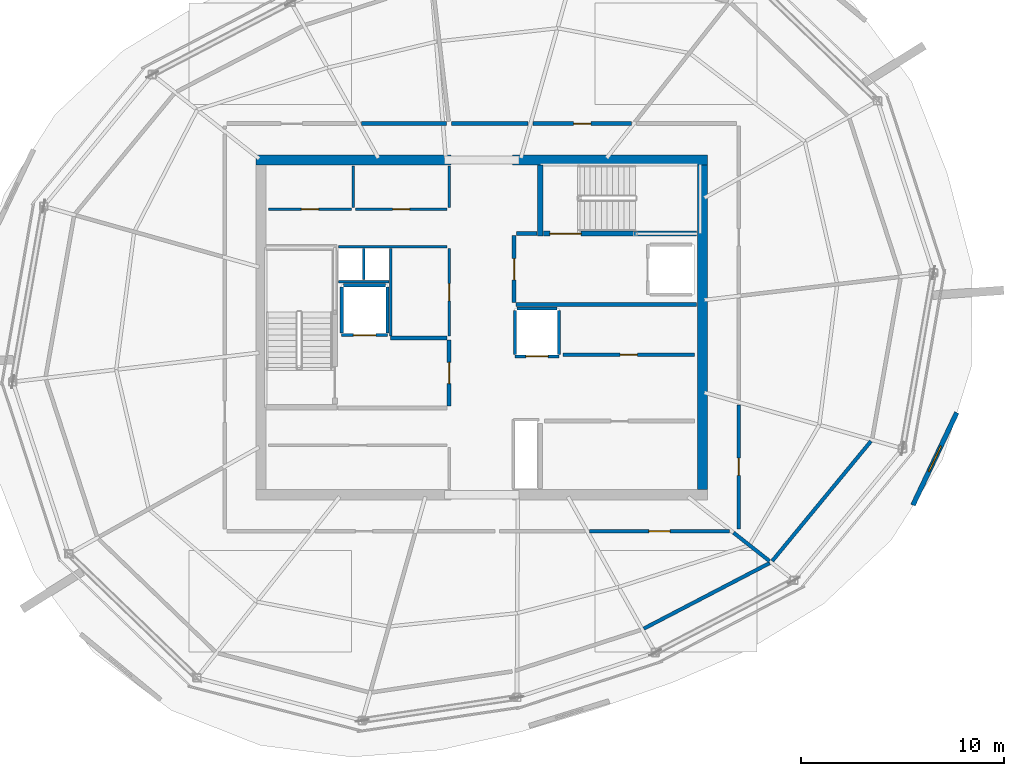
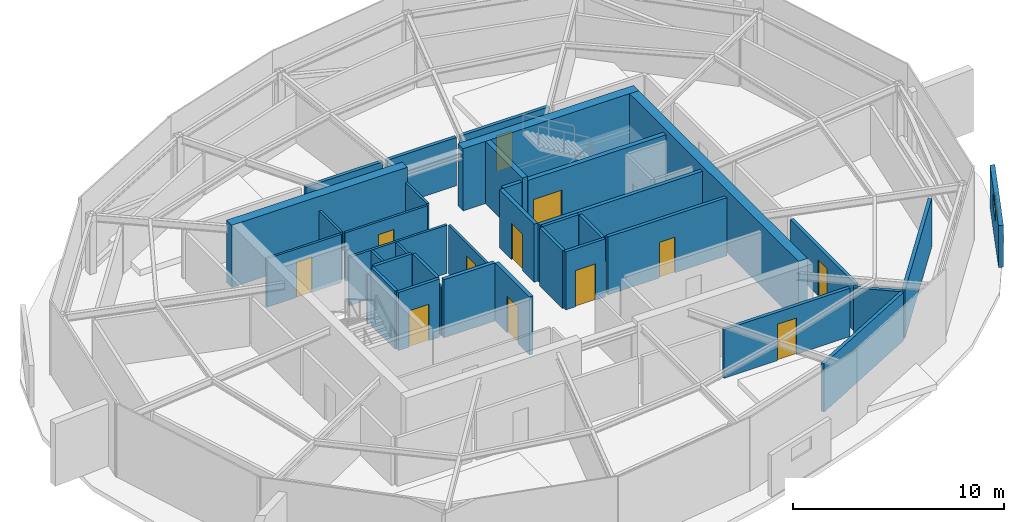
# One storey, part 8 of 10: 37 walls, 12 doors, 1 window, 13 openings.
"""IFC4 building model written with IfcOpenShell, lengths in metres."""

import ifcopenshell
import ifcopenshell.guid

model = None  # the IFC model being written
_history = None  # IfcOwnerHistory: only IFC2X3 demands one
_inside = {}  # id of a spatial element -> (the spatial element, [elements in it])
_under = {}  # id of a project, library or spatial element -> (it, [spatial elements below it])
_declared = {}  # id of a project -> (the project, [libraries it declares])
_typed = {}  # id of a type object -> (the type object, [elements of that type])
_made_of = {}  # id of a material, layer set ... -> (it, [elements and type objects made of it])


def new_model(schema):
    """Start an empty IFC model of exactly this schema.

    Asked for "IFC4X3", IfcOpenShell would pick the latest addendum, in which some entities
    have other attributes; the version numbers below select the first issue.
    IFC2X3 requires an IfcOwnerHistory on every rooted entity: one is made here for all.
    """
    global model, _history
    if schema == "IFC4X3":
        model = ifcopenshell.file(schema_version=(4, 3, 0, 0))
    else:
        model = ifcopenshell.file(schema=schema)
    _inside.clear()
    _under.clear()
    _declared.clear()
    _typed.clear()
    _made_of.clear()
    _history = None
    if model.schema == "IFC2X3":
        org = make("IfcOrganization", Name="unknown")
        user = make(
            "IfcPersonAndOrganization",
            ThePerson=make("IfcPerson", FamilyName="unknown"),
            TheOrganization=org,
        )
        app = make(
            "IfcApplication",
            ApplicationDeveloper=org,
            Version="unknown",
            ApplicationFullName="unknown",
            ApplicationIdentifier="unknown",
        )
        _history = make(
            "IfcOwnerHistory",
            OwningUser=user,
            OwningApplication=app,
            ChangeAction="ADDED",
            CreationDate=0,
        )
    return model


def make(cls, **values):
    """One entity of the class cls with the attributes given. An attribute that is None is left unset."""
    return model.create_entity(
        cls, **{name: value for name, value in values.items() if value is not None}
    )


def rooted(cls, **values):
    """An entity with a GlobalId (a new one), such as an element, a storey or a relation."""
    return make(cls, GlobalId=ifcopenshell.guid.new(), OwnerHistory=_history, **values)


def si_unit(unit_type, name, prefix=None):
    """IfcSIUnit, for example si_unit("LENGTHUNIT", "METRE", prefix="MILLI")."""
    return make("IfcSIUnit", UnitType=unit_type, Prefix=prefix, Name=name)


def assignment(units):
    """IfcUnitAssignment: the units of a project."""
    return None if units is None else make("IfcUnitAssignment", Units=units)


def point(xyz):
    """IfcCartesianPoint."""
    return None if xyz is None else make("IfcCartesianPoint", Coordinates=xyz)


def direction(xyz):
    """IfcDirection."""
    return None if xyz is None else make("IfcDirection", DirectionRatios=xyz)


def frame(location, z_axis=None, x_axis=None):
    """IfcAxis2Placement3D, a coordinate frame: its origin and axes. An axis left out is left unset."""
    return make(
        "IfcAxis2Placement3D",
        Location=point(location),
        Axis=direction(z_axis),
        RefDirection=direction(x_axis),
    )


def frame_2d(location, x_axis=None):
    """IfcAxis2Placement2D, a coordinate frame in the plane: its origin and x axis."""
    return make(
        "IfcAxis2Placement2D", Location=point(location), RefDirection=direction(x_axis)
    )


def origin():
    """The frame at (0, 0, 0) with its axes left unset."""
    return frame((0.0, 0.0, 0.0))


def place(relative_to, where):
    """IfcLocalPlacement: puts the frame where relative to a parent placement (None: the world)."""
    return make(
        "IfcLocalPlacement", PlacementRelTo=relative_to, RelativePlacement=where
    )


def context(
    kind, dimensions, precision=None, world=None, true_north=None, identifier=None
):
    """IfcGeometricRepresentationContext, for example the 3D "Model" context."""
    return make(
        "IfcGeometricRepresentationContext",
        ContextIdentifier=identifier,
        ContextType=kind,
        CoordinateSpaceDimension=dimensions,
        Precision=precision,
        WorldCoordinateSystem=world,
        TrueNorth=true_north,
    )


def subcontext(parent, identifier, kind, view, scale=None):
    """IfcGeometricRepresentationSubContext, for example "Body" below "Model"."""
    return make(
        "IfcGeometricRepresentationSubContext",
        ContextIdentifier=identifier,
        ContextType=kind,
        ParentContext=parent,
        TargetScale=scale,
        TargetView=view,
    )


def project(units=None, contexts=None):
    """IfcProject with its units and contexts."""
    return rooted(
        "IfcProject",
        Name="project",
        RepresentationContexts=contexts,
        UnitsInContext=assignment(units),
    )


def spatial(cls, under=None, at=None, **own):
    """A site, building, storey or space (cls), placed at a placement, below another one or the project."""
    s = rooted(cls, ObjectPlacement=at, **own)
    if under is not None:
        _under.setdefault(under.id(), (under, []))[1].append(s)
    return s


def profile(cls, at=None, kind="AREA", **sizes):
    """A parametric profile (cls). Its sizes go by their IFC names, for example OverallWidth=200.0."""
    return make(cls, ProfileType=kind, Position=at, **sizes)


def rectangle(**sizes):
    """IfcRectangleProfileDef."""
    return profile("IfcRectangleProfileDef", **sizes)


def extrude(swept, where, along, depth):
    """IfcExtrudedAreaSolid: the profile swept, set in the frame where, extruded along a direction by depth."""
    return make(
        "IfcExtrudedAreaSolid",
        SweptArea=swept,
        Position=where,
        ExtrudedDirection=direction(along),
        Depth=depth,
    )


def shape(context_of_items, identifier, shape_type, items):
    """IfcShapeRepresentation: the items that make up one representation, for example the "Body"."""
    return make(
        "IfcShapeRepresentation",
        ContextOfItems=context_of_items,
        RepresentationIdentifier=identifier,
        RepresentationType=shape_type,
        Items=items,
    )


def material(Name=None, Category=None):
    """IfcMaterial."""
    return make("IfcMaterial", Name=Name, Category=Category)


def layer(
    of_material, thickness, ventilated=None, Name=None, Category=None, Priority=None
):
    """IfcMaterialLayer: one layer of a wall or slab, of a material (None: an air gap)."""
    return make(
        "IfcMaterialLayer",
        Material=of_material,
        LayerThickness=thickness,
        IsVentilated=ventilated,
        Name=Name,
        Category=Category,
        Priority=Priority,
    )


def layer_set(layers, Name=None):
    """IfcMaterialLayerSet."""
    return make("IfcMaterialLayerSet", MaterialLayers=layers, LayerSetName=Name)


def made_of(thing, what):
    """Note that an element or type object is made of a material, layer set ...; save() writes the relation."""
    if what is not None:
        _made_of.setdefault(what.id(), (what, []))[1].append(thing)
    return thing


def type_object(cls, material=None, **own):
    """A type object (cls), such as IfcWallType, which elements share."""
    return made_of(rooted(cls, **own), material)


def element(
    cls,
    number,
    at=None,
    inside=None,
    cuts=None,
    type_object=None,
    material=None,
    context=None,
    identifier="Body",
    shape_type=None,
    held_by="IfcProductDefinitionShape",
    body=None,
    shapes=None,
    **own,
):
    """One element of the class cls, such as IfcWall. Its Tag is "e" and its number.

    at: its placement. inside: the storey or other place that contains it. cuts: it is an
    opening in that element (IfcRelVoidsElement). A single representation is given by context,
    identifier, shape_type and body (its items); several are given by shapes. held_by: the class
    of the entity that holds the representations. save() writes the other relations.
    """
    e = rooted(cls, Tag="e%d" % number, ObjectPlacement=at, **own)
    if body is not None:
        shapes = [shape(context, identifier, shape_type, body)]
    if shapes is not None:
        e.Representation = make(held_by, Representations=shapes)
    if inside is not None:
        _inside.setdefault(inside.id(), (inside, []))[1].append(e)
    if cuts is not None:
        rooted(
            "IfcRelVoidsElement", RelatingBuildingElement=cuts, RelatedOpeningElement=e
        )
    if type_object is not None:
        _typed.setdefault(type_object.id(), (type_object, []))[1].append(e)
    return made_of(e, material)


def fill(opening, filler):
    """IfcRelFillsElement: the door or window that sits in an opening."""
    return rooted(
        "IfcRelFillsElement",
        RelatingOpeningElement=opening,
        RelatedBuildingElement=filler,
    )


def aggregate(whole, parts):
    """IfcRelAggregates: a whole, such as a stair, and the parts it consists of."""
    return rooted("IfcRelAggregates", RelatingObject=whole, RelatedObjects=parts)


def save(model, path):
    """Write the relations noted so far, then the file.

    IfcRelAggregates (storeys below a building ...), IfcRelContainedInSpatialStructure (elements
    in a storey), IfcRelDefinesByType, IfcRelAssociatesMaterial and IfcRelDeclares: one each for
    every whole, place, type object, material and project.
    """
    for whole, parts in _under.values():
        aggregate(whole, parts)
    for where, things in _inside.values():
        rooted(
            "IfcRelContainedInSpatialStructure",
            RelatedElements=things,
            RelatingStructure=where,
        )
    for kind, things in _typed.values():
        rooted("IfcRelDefinesByType", RelatedObjects=things, RelatingType=kind)
    for what, things in _made_of.values():
        rooted("IfcRelAssociatesMaterial", RelatedObjects=things, RelatingMaterial=what)
    for by, libraries in _declared.values():
        rooted("IfcRelDeclares", RelatingContext=by, RelatedDefinitions=libraries)
    model.write(path)


model = new_model("IFC4")

# Units and contexts
model_context = context("Model", 3, precision=1e-05, world=origin(), true_north=direction((0.0, 1.0)))
body_context = subcontext(model_context, "Body", "Model", "MODEL_VIEW")
ifc_project = project(units=[si_unit("LENGTHUNIT", "METRE"), si_unit("AREAUNIT", "SQUARE_METRE"), si_unit("VOLUMEUNIT", "CUBIC_METRE"), si_unit("PLANEANGLEUNIT", "RADIAN"), si_unit("MASSUNIT", "GRAM", prefix="KILO")], contexts=[model_context])

# Site, building, storey
site_placement = place(None, origin())
site = spatial("IfcSite", under=ifc_project, at=site_placement, CompositionType="ELEMENT")
building_placement = place(site_placement, origin())
building = spatial("IfcBuilding", under=site, at=building_placement, Name="Kazma Halo Residences", CompositionType="ELEMENT")
storey_placement = place(building_placement, frame((0.0, 0.0, 374.0)))
storey = spatial("IfcBuildingStorey", under=building, at=storey_placement, Name="L94", CompositionType="ELEMENT", Elevation=374.0)

# Walls
ifc_material_1 = material(Name="Concrete C60/75", Category="concrete")
ifc_layer_1 = layer(ifc_material_1, 0.5)
ifc_layer_set_1 = layer_set([ifc_layer_1], Name="Concrete C60/75")
wall_type_1 = type_object("IfcWallType", Name="WL-CORE-500", PredefinedType="SHEAR", material=ifc_layer_set_1)
wall_1_placement = place(storey_placement, frame((37.300048828125, 50.25, 0.0), z_axis=(0.0, 0.0, 1.0), x_axis=(1.0, 0.0, 0.0)))
element("IfcWall", 1, at=wall_1_placement, inside=storey, type_object=wall_type_1, Name="L94 central core shear wall NW", PredefinedType="SHEAR", context=body_context, shape_type="SweptSolid", body=[
    extrude(rectangle(XDim=9.599853515625, YDim=0.5, at=frame_2d((4.7998046875, 0.0))), origin(), (0.0, 0.0, 1.0), 3.60009765625),
])
wall_2_placement = place(storey_placement, frame((49.949951171875, 50.25, 0.0), z_axis=(0.0, 0.0, 1.0), x_axis=(1.0, 0.0, 0.0)))
element("IfcWall", 2, at=wall_2_placement, inside=storey, type_object=wall_type_1, Name="L94 central core shear wall NE", PredefinedType="SHEAR", context=body_context, shape_type="SweptSolid", body=[
    extrude(rectangle(XDim=9.60009765625, YDim=0.5, at=frame_2d((4.800048828125, 0.0))), origin(), (0.0, 0.0, 1.0), 3.60009765625),
])
wall_3_placement = place(storey_placement, frame((59.300048828125, 34.0, 0.0), z_axis=(0.0, 0.0, 1.0), x_axis=(0.0, 1.0, 0.0)))
element("IfcWall", 3, at=wall_3_placement, inside=storey, type_object=wall_type_1, Name="L94 central core shear wall E", PredefinedType="SHEAR", context=body_context, shape_type="SweptSolid", body=[
    extrude(rectangle(XDim=16.0, YDim=0.5, at=frame_2d((8.0, 0.0))), origin(), (0.0, 0.0, 1.0), 3.60009765625),
])
ifc_layer_2 = layer(ifc_material_1, 0.280029296875)
ifc_layer_set_2 = layer_set([ifc_layer_2], Name="Concrete C60/75")
wall_type_2 = type_object("IfcWallType", Name="WL-CORE-ST-280", PredefinedType="SHEAR", material=ifc_layer_set_2)
wall_4_placement = place(storey_placement, frame((51.31005859375, 46.5, 0.0), z_axis=(0.0, 0.0, 1.0), x_axis=(0.0, 1.0, 0.0)))
element("IfcWall", 4, at=wall_4_placement, inside=storey, type_object=wall_type_2, Name="L94 stairwell bearing wall ST02-W", PredefinedType="SHEAR", context=body_context, shape_type="SweptSolid", body=[
    extrude(rectangle(XDim=3.5, YDim=0.280029296875, at=frame_2d((1.75, 0.0))), origin(), (0.0, 0.0, 1.0), 3.60009765625),
])
ifc_material_2 = material(Name="Acoustic Twin-Stud Gypsum")
ifc_layer_3 = layer(ifc_material_2, 0.179931640625)
ifc_layer_set_3 = layer_set([ifc_layer_3], Name="Acoustic Twin-Stud Gypsum")
wall_type_3 = type_object("IfcWallType", Name="WL-DEM-180", PredefinedType="PARTITIONING", material=ifc_layer_set_3)
wall_5_placement = place(storey_placement, frame((56.409912109375, 27.14697265625, 0.0), z_axis=(0.0, 0.0, 1.0), x_axis=(0.886949494865, 0.461866423935, 0.0)))
element("IfcWall", 5, at=wall_5_placement, inside=storey, type_object=wall_type_3, Name="L94 crown plant perimeter wall 12", PredefinedType="PARTITIONING", context=body_context, shape_type="SweptSolid", body=[
    extrude(rectangle(XDim=7.002197265625, YDim=0.179931640625, at=frame_2d((3.5009765625, 0.0))), origin(), (0.0, 0.0, 1.0), 2.800048828125),
])
wall_6_placement = place(storey_placement, frame((62.742431640625, 30.479736328125, 0.0), z_axis=(0.0, 0.0, 1.0), x_axis=(0.636018833443, 0.771673534278, 0.0)))
element("IfcWall", 6, at=wall_6_placement, inside=storey, type_object=wall_type_3, Name="L94 crown plant perimeter wall 13", PredefinedType="PARTITIONING", context=body_context, shape_type="SweptSolid", body=[
    extrude(rectangle(XDim=7.661376953125, YDim=0.179931640625, at=frame_2d((3.83056640625, 0.0))), origin(), (0.0, 0.0, 1.0), 2.800048828125),
])
wall_7_placement = place(storey_placement, frame((46.6904296875, 52.050048828125, 0.0), z_axis=(0.0, 0.0, 1.0), x_axis=(-1.0, 0.0, 0.0)))
element("IfcWall", 7, at=wall_7_placement, inside=storey, type_object=wall_type_3, Name="L94 L94 District Cooling Chiller Plant Room corridor wall", PredefinedType="PARTITIONING", context=body_context, shape_type="SweptSolid", body=[
    extrude(rectangle(XDim=4.19873046875, YDim=0.179931640625, at=frame_2d((2.099365234375, 0.0))), origin(), (0.0, 0.0, 1.0), 2.800048828125),
])

# Wall, opening, door
wall_8_placement = place(storey_placement, frame((53.748291015625, 31.949951171875, 0.0), z_axis=(0.0, 0.0, 1.0), x_axis=(1.0, 0.0, 0.0)))
wall_8 = element("IfcWall", 8, at=wall_8_placement, inside=storey, type_object=wall_type_3, Name="L94 L94 Heat Recovery Mechanical Plant Room corridor wall", PredefinedType="PARTITIONING", context=body_context, shape_type="SweptSolid", body=[
    extrude(rectangle(XDim=6.880126953125, YDim=0.179931640625, at=frame_2d((3.43994140625, 0.0))), origin(), (0.0, 0.0, 1.0), 2.800048828125),
])
opening_1_placement = place(wall_8_placement, frame((2.9150390625, 0.0, 0.0)))
opening_1 = element("IfcOpeningElement", 9, at=opening_1_placement, cuts=wall_8, Name="Opening DF-1050", PredefinedType="OPENING", context=body_context, shape_type="SweptSolid", body=[
    extrude(rectangle(XDim=1.050048828125, YDim=2.10009765625, at=frame_2d((0.52490234375, 1.050048828125))), frame((0.0, 0.099853515625, 0.0), z_axis=(0.0, -1.0, 0.0), x_axis=(1.0, 0.0, 0.0)), (0.0, 0.0, 1.0), 0.199951171875),
])
ifc_material_3 = material(Name="Fire-Rated Steel Leaf", Category="steel")
door_type_1 = type_object("IfcDoorType", Name="DR-FD90-1050", OperationType="NOTDEFINED", PredefinedType="DOOR", material=ifc_material_3)
door_1_placement = place(opening_1_placement, origin())
door_1 = element("IfcDoor", 10, at=door_1_placement, inside=storey, type_object=door_type_1, Name="L94 L94 Heat Recovery Mechanical Plant Room door", OperationType="SINGLE_SWING_LEFT", OverallHeight=2.10009765625, OverallWidth=1.050048828125, PredefinedType="DOOR", context=body_context, shape_type="SweptSolid", body=[
    extrude(rectangle(XDim=1.050048828125, YDim=2.10009765625, at=frame_2d((0.52490234375, 1.050048828125))), frame((0.0, 0.02490234375, 0.0), z_axis=(0.0, -1.0, 0.0), x_axis=(1.0, 0.0, 0.0)), (0.0, 0.0, 1.0), 0.050048828125),
])
fill(opening_1, door_1)

# Wall
wall_9_placement = place(storey_placement, frame((60.834716796875, 31.8818359375, 0.0), z_axis=(0.0, 0.0, 1.0), x_axis=(0.785329646864, -0.619077818821, 0.0)))
element("IfcWall", 11, at=wall_9_placement, inside=storey, type_object=wall_type_3, Name="L94 radial partition wall 13", PredefinedType="PARTITIONING", context=body_context, shape_type="SweptSolid", body=[
    extrude(rectangle(XDim=2.264404296875, YDim=0.179931640625, at=frame_2d((1.13232421875, 0.0))), origin(), (0.0, 0.0, 1.0), 2.800048828125),
])

# Wall, opening, door
wall_10_placement = place(storey_placement, frame((61.10009765625, 32.070068359375, 0.0), z_axis=(0.0, 0.0, 1.0), x_axis=(0.0, 1.0, 0.0)))
wall_10 = element("IfcWall", 12, at=wall_10_placement, inside=storey, type_object=wall_type_3, Name="L94 L94 Domestic Break Water Tank Room corridor wall", PredefinedType="PARTITIONING", context=body_context, shape_type="SweptSolid", body=[
    extrude(rectangle(XDim=6.115234375, YDim=0.179931640625, at=frame_2d((3.0576171875, 0.0))), origin(), (0.0, 0.0, 1.0), 2.800048828125),
])
opening_2_placement = place(wall_10_placement, frame((2.6328125, 0.0, 0.0)))
opening_2 = element("IfcOpeningElement", 13, at=opening_2_placement, cuts=wall_10, Name="Opening DS-850", PredefinedType="OPENING", context=body_context, shape_type="SweptSolid", body=[
    extrude(rectangle(XDim=0.85009765625, YDim=2.06005859375, at=frame_2d((0.425048828125, 1.030029296875))), frame((0.0, 0.099853515625, 0.0), z_axis=(0.0, -1.0, 0.0), x_axis=(1.0, 0.0, 0.0)), (0.0, 0.0, 1.0), 0.199951171875),
])
ifc_material_4 = material(Name="Painted Steel Access Leaf", Category="steel")
door_type_2 = type_object("IfcDoorType", Name="DR-SVC-850", OperationType="NOTDEFINED", PredefinedType="DOOR", material=ifc_material_4)
door_2_placement = place(opening_2_placement, origin())
door_2 = element("IfcDoor", 14, at=door_2_placement, inside=storey, type_object=door_type_2, Name="L94 L94 Domestic Break Water Tank Room door", OperationType="SINGLE_SWING_RIGHT", OverallHeight=2.06005859375, OverallWidth=0.85009765625, PredefinedType="DOOR", context=body_context, shape_type="SweptSolid", body=[
    extrude(rectangle(XDim=0.85009765625, YDim=2.06005859375, at=frame_2d((0.425048828125, 1.030029296875))), frame((0.0, 0.02490234375, 0.0), z_axis=(0.0, -1.0, 0.0), x_axis=(1.0, 0.0, 0.0)), (0.0, 0.0, 1.0), 0.050048828125),
])
fill(opening_2, door_2)

wall_11_placement = place(storey_placement, frame((55.802734375, 52.050048828125, 0.0), z_axis=(0.0, 0.0, 1.0), x_axis=(-1.0, 0.0, 0.0)))
wall_11 = element("IfcWall", 15, at=wall_11_placement, inside=storey, type_object=wall_type_3, Name="L94 L94 Lift Machine Mechanical Plant Room corridor wall", PredefinedType="PARTITIONING", context=body_context, shape_type="SweptSolid", body=[
    extrude(rectangle(XDim=4.848388671875, YDim=0.179931640625, at=frame_2d((2.42431640625, 0.0))), origin(), (0.0, 0.0, 1.0), 2.800048828125),
])
opening_3_placement = place(wall_11_placement, frame((1.999267578125, 0.0, 0.0)))
opening_3 = element("IfcOpeningElement", 16, at=opening_3_placement, cuts=wall_11, Name="Opening DS-850", PredefinedType="OPENING", context=body_context, shape_type="SweptSolid", body=[
    extrude(rectangle(XDim=0.85009765625, YDim=2.06005859375, at=frame_2d((0.425048828125, 1.030029296875))), frame((0.0, 0.099853515625, 0.0), z_axis=(0.0, -1.0, 0.0), x_axis=(1.0, 0.0, 0.0)), (0.0, 0.0, 1.0), 0.199951171875),
])
door_3_placement = place(opening_3_placement, origin())
door_3 = element("IfcDoor", 17, at=door_3_placement, inside=storey, type_object=door_type_2, Name="L94 L94 Lift Machine Mechanical Plant Room door", OperationType="SINGLE_SWING_RIGHT", OverallHeight=2.06005859375, OverallWidth=0.85009765625, PredefinedType="DOOR", context=body_context, shape_type="SweptSolid", body=[
    extrude(rectangle(XDim=0.85009765625, YDim=2.06005859375, at=frame_2d((0.425048828125, 1.030029296875))), frame((0.0, 0.02490234375, 0.0), z_axis=(0.0, -1.0, 0.0), x_axis=(1.0, 0.0, 0.0)), (0.0, 0.0, 1.0), 0.050048828125),
])
fill(opening_3, door_3)

# Wall
wall_12_placement = place(storey_placement, frame((50.71435546875, 52.050048828125, 0.0), z_axis=(0.0, 0.0, 1.0), x_axis=(-1.0, 0.0, 0.0)))
element("IfcWall", 18, at=wall_12_placement, inside=storey, type_object=wall_type_3, Name="L94 L94 Lift Machine Mechanical Plant Room corridor wall", PredefinedType="PARTITIONING", context=body_context, shape_type="SweptSolid", body=[
    extrude(rectangle(XDim=3.783935546875, YDim=0.179931640625, at=frame_2d((1.89208984375, 0.0))), origin(), (0.0, 0.0, 1.0), 2.800048828125),
])

# Wall, opening, window
ifc_material_5 = material(Name="Insulated Pale-Metal Composite Wall")
ifc_layer_4 = layer(ifc_material_5, 0.239990234375)
ifc_layer_set_4 = layer_set([ifc_layer_4], Name="Insulated Pale-Metal Composite Wall")
wall_type_4 = type_object("IfcWallType", Name="WL-EXT-HOST-240", PredefinedType="SOLIDWALL", material=ifc_layer_set_4)
wall_13_placement = place(storey_placement, frame((69.683349609375, 33.2392578125, 0.0), z_axis=(0.0, 0.0, 1.0), x_axis=(0.4282507592, 0.903659940046, 0.0)))
wall_13 = element("IfcWall", 19, at=wall_13_placement, inside=storey, type_object=wall_type_4, Name="L94 crown clerestory band wall 06", PredefinedType="SOLIDWALL", context=body_context, shape_type="SweptSolid", body=[
    extrude(rectangle(XDim=5.04248046875, YDim=0.239990234375, at=frame_2d((2.521240234375, 0.0))), origin(), (0.0, 0.0, 1.0), 2.409912109375),
])
opening_4_placement = place(wall_13_placement, frame((1.8212890625, 0.0, 1.35009765625)))
opening_4 = element("IfcOpeningElement", 20, at=opening_4_placement, cuts=wall_13, Name="Opening WSK-1400", PredefinedType="OPENING", context=body_context, shape_type="SweptSolid", body=[
    extrude(rectangle(XDim=1.39990234375, YDim=0.75, at=frame_2d((0.699951171875, 0.375))), frame((0.0, 0.1298828125, 0.0), z_axis=(0.0, -1.0, 0.0), x_axis=(1.0, 0.0, 0.0)), (0.0, 0.0, 1.0), 0.260009765625),
])
ifc_material_6 = material(Name="Clear Triple-Silver Low-E Glass in Aluminium AW-6063 T6 Frame", Category="aluminium")
window_type = type_object("IfcWindowType", Name="WIN-CRWN-SKYL-1400", PartitioningType="SINGLE_PANEL", PredefinedType="SKYLIGHT", material=ifc_material_6)
window_placement = place(opening_4_placement, origin())
window = element("IfcWindow", 21, at=window_placement, inside=storey, type_object=window_type, Name="L94 crown clerestory skylight 06", OverallHeight=0.75, OverallWidth=1.39990234375, PartitioningType="SINGLE_PANEL", PredefinedType="SKYLIGHT", context=body_context, shape_type="SweptSolid", body=[
    extrude(rectangle(XDim=1.39990234375, YDim=0.75, at=frame_2d((0.699951171875, 0.375))), frame((0.0, 0.030029296875, 0.0), z_axis=(0.0, -1.0, 0.0), x_axis=(1.0, 0.0, 0.0)), (0.0, 0.0, 1.0), 0.06005859375),
])
fill(opening_4, window)

# Wall, opening, door
ifc_material_7 = material(Name="Fire-Rated Blockwork Masonry", Category="masonry")
ifc_layer_5 = layer(ifc_material_7, 0.199951171875)
ifc_layer_set_5 = layer_set([ifc_layer_5], Name="Fire-Rated Blockwork Masonry")
wall_type_5 = type_object("IfcWallType", Name="WL-FLB-200", PredefinedType="PARTITIONING", material=ifc_layer_set_5)
wall_14_placement = place(storey_placement, frame((43.780029296875, 41.6201171875, 0.0), z_axis=(0.0, 0.0, 1.0), x_axis=(-1.0, 0.0, 0.0)))
wall_14 = element("IfcWall", 22, at=wall_14_placement, inside=storey, type_object=wall_type_5, Name="L94 lift shaft FL-01 front wall", PredefinedType="PARTITIONING", context=body_context, shape_type="SweptSolid", body=[
    extrude(rectangle(XDim=2.260009765625, YDim=0.159912109375, at=frame_2d((1.1298828125, 0.0))), origin(), (0.0, 0.0, 1.0), 3.360107421875),
])
opening_5_placement = place(wall_14_placement, frame((0.580078125, 0.0, 0.0)))
opening_5 = element("IfcOpeningElement", 23, at=opening_5_placement, cuts=wall_14, Name="Opening LD-FL-01", PredefinedType="OPENING", context=body_context, shape_type="SweptSolid", body=[
    extrude(rectangle(XDim=1.10009765625, YDim=2.10009765625, at=frame_2d((0.550048828125, 1.050048828125))), frame((0.0, 0.08984375, 0.0), z_axis=(0.0, -1.0, 0.0), x_axis=(1.0, 0.0, 0.0)), (0.0, 0.0, 1.0), 0.179931640625),
])
ifc_material_8 = material(Name="Stainless Steel Fire-Rated", Category="steel")
door_type_3 = type_object("IfcDoorType", Name="DR-LIFT-SLD-1100", OperationType="DOUBLE_DOOR_SLIDING", PredefinedType="DOOR", material=ifc_material_8)
door_4_placement = place(opening_5_placement, origin())
door_4 = element("IfcDoor", 24, at=door_4_placement, inside=storey, type_object=door_type_3, Name="L94 lift FL-01 sliding landing door", OperationType="DOUBLE_DOOR_SLIDING", OverallHeight=2.10009765625, OverallWidth=1.10009765625, PredefinedType="DOOR", context=body_context, shape_type="SweptSolid", body=[
    extrude(rectangle(XDim=1.10009765625, YDim=2.10009765625, at=frame_2d((0.550048828125, 1.050048828125))), frame((0.0, 0.02490234375, 0.0), z_axis=(0.0, -1.0, 0.0), x_axis=(1.0, 0.0, 0.0)), (0.0, 0.0, 1.0), 0.050048828125),
])
fill(opening_5, door_4)

# Walls
for number, where, z_axis, x_axis, name in (
    (25, (43.780029296875, 41.719970703125, 0.0), (0.0, 0.0, 1.0), (0.0, 1.0, 0.0), "L94 lift shaft FL-01 side wall E"),
    (26, (41.52001953125, 41.719970703125, 0.0), (0.0, 0.0, 1.0), (0.0, 1.0, 0.0), "L94 lift shaft FL-01 side wall W"),
):
    element("IfcWall", number, at=place(storey_placement, frame(where, z_axis=z_axis, x_axis=x_axis)), inside=storey, type_object=wall_type_5, Name=name, PredefinedType="PARTITIONING", context=body_context, shape_type="SweptSolid", body=[
        extrude(rectangle(XDim=2.260009765625, YDim=0.159912109375, at=frame_2d((1.1298828125, 0.0))), origin(), (0.0, 0.0, 1.0), 3.360107421875),
    ])
wall_15_placement = place(storey_placement, frame((41.6201171875, 44.080078125, 0.0), z_axis=(0.0, 0.0, 1.0), x_axis=(1.0, 0.0, 0.0)))
element("IfcWall", 27, at=wall_15_placement, inside=storey, type_object=wall_type_5, Name="L94 lift shaft FL-01 side wall N", PredefinedType="PARTITIONING", context=body_context, shape_type="SweptSolid", body=[
    extrude(rectangle(XDim=2.059814453125, YDim=0.159912109375, at=frame_2d((1.02978515625, 0.0))), origin(), (0.0, 0.0, 1.0), 3.360107421875),
])

# Wall, opening, door
wall_16_placement = place(storey_placement, frame((52.22998046875, 40.570068359375, 0.0), z_axis=(0.0, 0.0, 1.0), x_axis=(-1.0, 0.0, 0.0)))
wall_16 = element("IfcWall", 28, at=wall_16_placement, inside=storey, type_object=wall_type_5, Name="L94 lift shaft SV-01 front wall", PredefinedType="PARTITIONING", context=body_context, shape_type="SweptSolid", body=[
    extrude(rectangle(XDim=2.159912109375, YDim=0.159912109375, at=frame_2d((1.080078125, 0.0))), origin(), (0.0, 0.0, 1.0), 3.360107421875),
])
opening_6_placement = place(wall_16_placement, frame((0.530029296875, 0.0, 0.0)))
opening_6 = element("IfcOpeningElement", 29, at=opening_6_placement, cuts=wall_16, Name="Opening LD-SV-01", PredefinedType="OPENING", context=body_context, shape_type="SweptSolid", body=[
    extrude(rectangle(XDim=1.10009765625, YDim=2.10009765625, at=frame_2d((0.550048828125, 1.050048828125))), frame((0.0, 0.08984375, 0.0), z_axis=(0.0, -1.0, 0.0), x_axis=(1.0, 0.0, 0.0)), (0.0, 0.0, 1.0), 0.179931640625),
])
door_5_placement = place(opening_6_placement, origin())
door_5 = element("IfcDoor", 30, at=door_5_placement, inside=storey, type_object=door_type_3, Name="L94 lift SV-01 sliding landing door", OperationType="DOUBLE_DOOR_SLIDING", OverallHeight=2.10009765625, OverallWidth=1.10009765625, PredefinedType="DOOR", context=body_context, shape_type="SweptSolid", body=[
    extrude(rectangle(XDim=1.10009765625, YDim=2.10009765625, at=frame_2d((0.550048828125, 1.050048828125))), frame((0.0, 0.02490234375, 0.0), z_axis=(0.0, -1.0, 0.0), x_axis=(1.0, 0.0, 0.0)), (0.0, 0.0, 1.0), 0.050048828125),
])
fill(opening_6, door_5)

# Walls
for number, where, z_axis, x_axis, name in (
    (31, (52.22998046875, 40.669921875, 0.0), (0.0, 0.0, 1.0), (0.0, 1.0, 0.0), "L94 lift shaft SV-01 side wall E"),
    (32, (50.070068359375, 40.669921875, 0.0), (0.0, 0.0, 1.0), (0.0, 1.0, 0.0), "L94 lift shaft SV-01 side wall W"),
):
    element("IfcWall", number, at=place(storey_placement, frame(where, z_axis=z_axis, x_axis=x_axis)), inside=storey, type_object=wall_type_5, Name=name, PredefinedType="PARTITIONING", context=body_context, shape_type="SweptSolid", body=[
        extrude(rectangle(XDim=2.16015625, YDim=0.159912109375, at=frame_2d((1.080078125, 0.0))), origin(), (0.0, 0.0, 1.0), 3.360107421875),
    ])
wall_17_placement = place(storey_placement, frame((50.169921875, 42.929931640625, 0.0), z_axis=(0.0, 0.0, 1.0), x_axis=(1.0, 0.0, 0.0)))
element("IfcWall", 33, at=wall_17_placement, inside=storey, type_object=wall_type_5, Name="L94 lift shaft SV-01 side wall N", PredefinedType="PARTITIONING", context=body_context, shape_type="SweptSolid", body=[
    extrude(rectangle(XDim=1.9599609375, YDim=0.159912109375, at=frame_2d((0.97998046875, 0.0))), origin(), (0.0, 0.0, 1.0), 3.360107421875),
])

# Wall, opening, door
wall_18_placement = place(storey_placement, frame((52.419921875, 40.64990234375, 0.0), z_axis=(0.0, 0.0, 1.0), x_axis=(1.0, 0.0, 0.0)))
wall_18 = element("IfcWall", 34, at=wall_18_placement, inside=storey, type_object=wall_type_5, Name="L94 core east reserve wall", PredefinedType="PARTITIONING", context=body_context, shape_type="SweptSolid", body=[
    extrude(rectangle(XDim=6.5, YDim=0.179931640625, at=frame_2d((3.25, 0.0))), origin(), (0.0, 0.0, 1.0), 3.360107421875),
])
opening_7_placement = place(wall_18_placement, frame((2.824951171875, 0.0, 0.0)))
opening_7 = element("IfcOpeningElement", 35, at=opening_7_placement, cuts=wall_18, Name="Opening DS-850", PredefinedType="OPENING", context=body_context, shape_type="SweptSolid", body=[
    extrude(rectangle(XDim=0.85009765625, YDim=2.06005859375, at=frame_2d((0.425048828125, 1.030029296875))), frame((0.0, 0.099853515625, 0.0), z_axis=(0.0, -1.0, 0.0), x_axis=(1.0, 0.0, 0.0)), (0.0, 0.0, 1.0), 0.199951171875),
])
door_6_placement = place(opening_7_placement, origin())
door_6 = element("IfcDoor", 36, at=door_6_placement, inside=storey, type_object=door_type_2, Name="L94 core east reserve door", OperationType="SINGLE_SWING_LEFT", OverallHeight=2.06005859375, OverallWidth=0.85009765625, PredefinedType="DOOR", context=body_context, shape_type="SweptSolid", body=[
    extrude(rectangle(XDim=0.85009765625, YDim=2.06005859375, at=frame_2d((0.425048828125, 1.030029296875))), frame((0.0, 0.02490234375, 0.0), z_axis=(0.0, -1.0, 0.0), x_axis=(1.0, 0.0, 0.0)), (0.0, 0.0, 1.0), 0.050048828125),
])
fill(opening_7, door_6)

# Wall
wall_19_placement = place(storey_placement, frame((43.919921875, 41.47998046875, 0.0), z_axis=(0.0, 0.0, 1.0), x_axis=(1.0, 0.0, 0.0)))
element("IfcWall", 37, at=wall_19_placement, inside=storey, type_object=wall_type_5, Name="L94 west firefighting lobby north smoke wall", PredefinedType="PARTITIONING", context=body_context, shape_type="SweptSolid", body=[
    extrude(rectangle(XDim=2.800048828125, YDim=0.199951171875, at=frame_2d((1.39990234375, 0.0))), origin(), (0.0, 0.0, 1.0), 3.360107421875),
])

# Wall, opening, door
wall_20_placement = place(storey_placement, frame((46.820068359375, 38.1201171875, 0.0), z_axis=(0.0, 0.0, 1.0), x_axis=(0.0, 1.0, 0.0)))
wall_20 = element("IfcWall", 38, at=wall_20_placement, inside=storey, type_object=wall_type_5, Name="L94 west firefighting lobby smoke wall", PredefinedType="PARTITIONING", context=body_context, shape_type="SweptSolid", body=[
    extrude(rectangle(XDim=3.259765625, YDim=0.199951171875, at=frame_2d((1.6298828125, 0.0))), origin(), (0.0, 0.0, 1.0), 3.360107421875),
])
opening_8_placement = place(wall_20_placement, frame((1.10498046875, 0.0, 0.0)))
opening_8 = element("IfcOpeningElement", 39, at=opening_8_placement, cuts=wall_20, Name="Opening D-FLW", PredefinedType="OPENING", context=body_context, shape_type="SweptSolid", body=[
    extrude(rectangle(XDim=1.050048828125, YDim=2.10009765625, at=frame_2d((0.52490234375, 1.050048828125))), frame((0.0, 0.10986328125, 0.0), z_axis=(0.0, -1.0, 0.0), x_axis=(1.0, 0.0, 0.0)), (0.0, 0.0, 1.0), 0.219970703125),
])
door_7_placement = place(opening_8_placement, origin())
door_7 = element("IfcDoor", 40, at=door_7_placement, inside=storey, type_object=door_type_1, Name="L94 west firefighting lobby smoke door", OperationType="SINGLE_SWING_LEFT", OverallHeight=2.10009765625, OverallWidth=1.050048828125, PredefinedType="DOOR", context=body_context, shape_type="SweptSolid", body=[
    extrude(rectangle(XDim=1.050048828125, YDim=2.10009765625, at=frame_2d((0.52490234375, 1.050048828125))), frame((0.0, 0.02490234375, 0.0), z_axis=(0.0, -1.0, 0.0), x_axis=(1.0, 0.0, 0.0)), (0.0, 0.0, 1.0), 0.050048828125),
])
fill(opening_8, door_7)

# Walls
wall_21_placement = place(storey_placement, frame((50.1201171875, 43.1201171875, 0.0), z_axis=(0.0, 0.0, 1.0), x_axis=(1.0, 0.0, 0.0)))
element("IfcWall", 41, at=wall_21_placement, inside=storey, type_object=wall_type_5, Name="L94 east firefighting lobby south smoke wall", PredefinedType="PARTITIONING", context=body_context, shape_type="SweptSolid", body=[
    extrude(rectangle(XDim=8.8798828125, YDim=0.199951171875, at=frame_2d((4.43994140625, 0.0))), origin(), (0.0, 0.0, 1.0), 3.360107421875),
])
wall_22_placement = place(storey_placement, frame((50.139892578125, 46.6201171875, 0.0), z_axis=(0.0, 0.0, 1.0), x_axis=(1.0, 0.0, 0.0)))
element("IfcWall", 42, at=wall_22_placement, inside=storey, type_object=wall_type_5, Name="L94 east firefighting lobby north closure wall", PredefinedType="PARTITIONING", context=body_context, shape_type="SweptSolid", body=[
    extrude(rectangle(XDim=1.02001953125, YDim=0.199951171875, at=frame_2d((0.510009765625, 0.0))), origin(), (0.0, 0.0, 1.0), 3.360107421875),
])

# Wall, opening, door
wall_23_placement = place(storey_placement, frame((50.02001953125, 43.219970703125, 0.0), z_axis=(0.0, 0.0, 1.0), x_axis=(0.0, 1.0, 0.0)))
wall_23 = element("IfcWall", 43, at=wall_23_placement, inside=storey, type_object=wall_type_5, Name="L94 east firefighting lobby smoke wall", PredefinedType="PARTITIONING", context=body_context, shape_type="SweptSolid", body=[
    extrude(rectangle(XDim=3.300048828125, YDim=0.199951171875, at=frame_2d((1.64990234375, 0.0))), origin(), (0.0, 0.0, 1.0), 3.360107421875),
])
opening_9_placement = place(wall_23_placement, frame((1.125, 0.0, 0.0)))
opening_9 = element("IfcOpeningElement", 44, at=opening_9_placement, cuts=wall_23, Name="Opening D-FLE", PredefinedType="OPENING", context=body_context, shape_type="SweptSolid", body=[
    extrude(rectangle(XDim=1.050048828125, YDim=2.10009765625, at=frame_2d((0.52490234375, 1.050048828125))), frame((0.0, 0.10986328125, 0.0), z_axis=(0.0, -1.0, 0.0), x_axis=(1.0, 0.0, 0.0)), (0.0, 0.0, 1.0), 0.219970703125),
])
door_8_placement = place(opening_9_placement, origin())
door_8 = element("IfcDoor", 45, at=door_8_placement, inside=storey, type_object=door_type_1, Name="L94 east firefighting lobby smoke door", OperationType="SINGLE_SWING_RIGHT", OverallHeight=2.10009765625, OverallWidth=1.050048828125, PredefinedType="DOOR", context=body_context, shape_type="SweptSolid", body=[
    extrude(rectangle(XDim=1.050048828125, YDim=2.10009765625, at=frame_2d((0.52490234375, 1.050048828125))), frame((0.0, 0.02490234375, 0.0), z_axis=(0.0, -1.0, 0.0), x_axis=(1.0, 0.0, 0.0)), (0.0, 0.0, 1.0), 0.050048828125),
])
fill(opening_9, door_8)

# Walls
ifc_material_9 = material(Name="Gypsum Plasterboard Partition")
ifc_layer_6 = layer(ifc_material_9, 0.125)
ifc_layer_set_6 = layer_set([ifc_layer_6], Name="Gypsum Plasterboard Partition")
wall_type_6 = type_object("IfcWallType", Name="WL-PART-125", PredefinedType="PARTITIONING", material=ifc_layer_set_6)
for number, where, z_axis, x_axis, name in (
    (46, (46.820068359375, 47.919921875, 0.0), (0.0, 0.0, 1.0), (0.0, 1.0, 0.0), "L94 reclaimed north east wall"),
    (47, (42.10009765625, 47.919921875, 0.0), (0.0, 0.0, 1.0), (0.0, 1.0, 0.0), "L94 reclaimed north divider wall"),
):
    element("IfcWall", number, at=place(storey_placement, frame(where, z_axis=z_axis, x_axis=x_axis)), inside=storey, type_object=wall_type_6, Name=name, PredefinedType="PARTITIONING", context=body_context, shape_type="SweptSolid", body=[
        extrude(rectangle(XDim=2.030029296875, YDim=0.125, at=frame_2d((1.01513671875, 0.0))), origin(), (0.0, 0.0, 1.0), 2.800048828125),
    ])

# Wall, opening, door
wall_24_placement = place(storey_placement, frame((37.919921875, 47.820068359375, 0.0), z_axis=(0.0, 0.0, 1.0), x_axis=(1.0, 0.0, 0.0)))
wall_24 = element("IfcWall", 48, at=wall_24_placement, inside=storey, type_object=wall_type_6, Name="L94 reclaimed north W front wall", PredefinedType="PARTITIONING", context=body_context, shape_type="SweptSolid", body=[
    extrude(rectangle(XDim=4.080078125, YDim=0.125, at=frame_2d((2.0400390625, 0.0))), origin(), (0.0, 0.0, 1.0), 2.800048828125),
])
opening_10_placement = place(wall_24_placement, frame((1.614990234375, 0.0, 0.0)))
opening_10 = element("IfcOpeningElement", 49, at=opening_10_placement, cuts=wall_24, Name="Opening DS-850", PredefinedType="OPENING", context=body_context, shape_type="SweptSolid", body=[
    extrude(rectangle(XDim=0.85009765625, YDim=2.06005859375, at=frame_2d((0.425048828125, 1.030029296875))), frame((0.0, 0.072509765625, 0.0), z_axis=(0.0, -1.0, 0.0), x_axis=(1.0, 0.0, 0.0)), (0.0, 0.0, 1.0), 0.14501953125),
])
door_9_placement = place(opening_10_placement, origin())
door_9 = element("IfcDoor", 50, at=door_9_placement, inside=storey, type_object=door_type_2, Name="L94 reclaimed north W door", OperationType="SINGLE_SWING_RIGHT", OverallHeight=2.06005859375, OverallWidth=0.85009765625, PredefinedType="DOOR", context=body_context, shape_type="SweptSolid", body=[
    extrude(rectangle(XDim=0.85009765625, YDim=2.06005859375, at=frame_2d((0.425048828125, 1.030029296875))), frame((0.0, 0.02490234375, 0.0), z_axis=(0.0, -1.0, 0.0), x_axis=(1.0, 0.0, 0.0)), (0.0, 0.0, 1.0), 0.050048828125),
])
fill(opening_10, door_9)

wall_25_placement = place(storey_placement, frame((42.199951171875, 47.820068359375, 0.0), z_axis=(0.0, 0.0, 1.0), x_axis=(1.0, 0.0, 0.0)))
wall_25 = element("IfcWall", 51, at=wall_25_placement, inside=storey, type_object=wall_type_6, Name="L94 reclaimed north E front wall", PredefinedType="PARTITIONING", context=body_context, shape_type="SweptSolid", body=[
    extrude(rectangle(XDim=4.5, YDim=0.125, at=frame_2d((2.25, 0.0))), origin(), (0.0, 0.0, 1.0), 2.800048828125),
])
opening_11_placement = place(wall_25_placement, frame((1.824951171875, 0.0, 0.0)))
opening_11 = element("IfcOpeningElement", 52, at=opening_11_placement, cuts=wall_25, Name="Opening DS-850", PredefinedType="OPENING", context=body_context, shape_type="SweptSolid", body=[
    extrude(rectangle(XDim=0.85009765625, YDim=2.06005859375, at=frame_2d((0.425048828125, 1.030029296875))), frame((0.0, 0.072509765625, 0.0), z_axis=(0.0, -1.0, 0.0), x_axis=(1.0, 0.0, 0.0)), (0.0, 0.0, 1.0), 0.14501953125),
])
door_10_placement = place(opening_11_placement, origin())
door_10 = element("IfcDoor", 53, at=door_10_placement, inside=storey, type_object=door_type_2, Name="L94 reclaimed north E door", OperationType="SINGLE_SWING_LEFT", OverallHeight=2.06005859375, OverallWidth=0.85009765625, PredefinedType="DOOR", context=body_context, shape_type="SweptSolid", body=[
    extrude(rectangle(XDim=0.85009765625, YDim=2.06005859375, at=frame_2d((0.425048828125, 1.030029296875))), frame((0.0, 0.02490234375, 0.0), z_axis=(0.0, -1.0, 0.0), x_axis=(1.0, 0.0, 0.0)), (0.0, 0.0, 1.0), 0.050048828125),
])
fill(opening_11, door_10)

# Walls
wall_26_placement = place(storey_placement, frame((41.360107421875, 45.97998046875, 0.0), z_axis=(0.0, 0.0, 1.0), x_axis=(1.0, 0.0, 0.0)))
element("IfcWall", 54, at=wall_26_placement, inside=storey, type_object=wall_type_6, Name="L94 core north riser wall", PredefinedType="PARTITIONING", context=body_context, shape_type="SweptSolid", body=[
    extrude(rectangle(XDim=5.35986328125, YDim=0.125, at=frame_2d((2.679931640625, 0.0))), origin(), (0.0, 0.0, 1.0), 2.800048828125),
])
wall_27_placement = place(storey_placement, frame((41.360107421875, 44.260009765625, 0.0), z_axis=(0.0, 0.0, 1.0), x_axis=(1.0, 0.0, 0.0)))
element("IfcWall", 55, at=wall_27_placement, inside=storey, type_object=wall_type_6, Name="L94 core riser south wall", PredefinedType="PARTITIONING", context=body_context, shape_type="SweptSolid", body=[
    extrude(rectangle(XDim=2.5, YDim=0.125, at=frame_2d((1.25, 0.0))), origin(), (0.0, 0.0, 1.0), 2.800048828125),
])
wall_28_placement = place(storey_placement, frame((42.60009765625, 44.35009765625, 0.0), z_axis=(0.0, 0.0, 1.0), x_axis=(0.0, 1.0, 0.0)))
element("IfcWall", 56, at=wall_28_placement, inside=storey, type_object=wall_type_6, Name="L94 core riser divider wall", PredefinedType="PARTITIONING", context=body_context, shape_type="SweptSolid", body=[
    extrude(rectangle(XDim=1.5498046875, YDim=0.125, at=frame_2d((0.77490234375, 0.0))), origin(), (0.0, 0.0, 1.0), 2.800048828125),
])
wall_29_placement = place(storey_placement, frame((43.949951171875, 41.580078125, 0.0), z_axis=(0.0, 0.0, 1.0), x_axis=(0.0, 1.0, 0.0)))
element("IfcWall", 57, at=wall_29_placement, inside=storey, type_object=wall_type_6, Name="L94 core service west wall", PredefinedType="PARTITIONING", context=body_context, shape_type="SweptSolid", body=[
    extrude(rectangle(XDim=4.31982421875, YDim=0.125, at=frame_2d((2.159912109375, 0.0))), origin(), (0.0, 0.0, 1.0), 2.800048828125),
])

# Wall, opening, door
wall_30_placement = place(storey_placement, frame((46.820068359375, 41.580078125, 0.0), z_axis=(0.0, 0.0, 1.0), x_axis=(0.0, 1.0, 0.0)))
wall_30 = element("IfcWall", 58, at=wall_30_placement, inside=storey, type_object=wall_type_6, Name="L94 core service room east wall", PredefinedType="PARTITIONING", context=body_context, shape_type="SweptSolid", body=[
    extrude(rectangle(XDim=4.2998046875, YDim=0.125, at=frame_2d((2.14990234375, 0.0))), origin(), (0.0, 0.0, 1.0), 2.800048828125),
])
opening_12_placement = place(wall_30_placement, frame((1.72509765625, 0.0, 0.0)))
opening_12 = element("IfcOpeningElement", 59, at=opening_12_placement, cuts=wall_30, Name="Opening DS-850", PredefinedType="OPENING", context=body_context, shape_type="SweptSolid", body=[
    extrude(rectangle(XDim=0.85009765625, YDim=2.06005859375, at=frame_2d((0.425048828125, 1.030029296875))), frame((0.0, 0.072509765625, 0.0), z_axis=(0.0, -1.0, 0.0), x_axis=(1.0, 0.0, 0.0)), (0.0, 0.0, 1.0), 0.14501953125),
])
door_11_placement = place(opening_12_placement, origin())
door_11 = element("IfcDoor", 60, at=door_11_placement, inside=storey, type_object=door_type_2, Name="L94 core service room door", OperationType="SINGLE_SWING_LEFT", OverallHeight=2.06005859375, OverallWidth=0.85009765625, PredefinedType="DOOR", context=body_context, shape_type="SweptSolid", body=[
    extrude(rectangle(XDim=0.85009765625, YDim=2.06005859375, at=frame_2d((0.425048828125, 1.030029296875))), frame((0.0, 0.02490234375, 0.0), z_axis=(0.0, -1.0, 0.0), x_axis=(1.0, 0.0, 0.0)), (0.0, 0.0, 1.0), 0.050048828125),
])
fill(opening_12, door_11)

ifc_material_10 = material(Name="Concrete C50/60", Category="concrete")
ifc_layer_7 = layer(ifc_material_10, 0.25)
ifc_layer_set_7 = layer_set([ifc_layer_7], Name="Concrete C50/60")
wall_type_7 = type_object("IfcWallType", Name="WL-SHF-250", PredefinedType="SOLIDWALL", material=ifc_layer_set_7)
wall_31_placement = place(storey_placement, frame((51.47998046875, 46.6201171875, 0.0), z_axis=(0.0, 0.0, 1.0), x_axis=(1.0, 0.0, 0.0)))
wall_31 = element("IfcWall", 61, at=wall_31_placement, inside=storey, type_object=wall_type_7, Name="L94 exit stair ST-02 enclosure wall", PredefinedType="SOLIDWALL", context=body_context, shape_type="SweptSolid", body=[
    extrude(rectangle(XDim=7.5400390625, YDim=0.25, at=frame_2d((3.77001953125, 0.0))), origin(), (0.0, 0.0, 1.0), 3.360107421875),
])
opening_13_placement = place(wall_31_placement, frame((0.300048828125, 0.0, 0.0)))
opening_13 = element("IfcOpeningElement", 62, at=opening_13_placement, cuts=wall_31, Name="Opening D-ST2", PredefinedType="OPENING", context=body_context, shape_type="SweptSolid", body=[
    extrude(rectangle(XDim=1.550048828125, YDim=2.14990234375, at=frame_2d((0.77490234375, 1.074951171875))), frame((0.0, 0.135009765625, 0.0), z_axis=(0.0, -1.0, 0.0), x_axis=(1.0, 0.0, 0.0)), (0.0, 0.0, 1.0), 0.27001953125),
])
ifc_material_11 = material(Name="Fire-Rated Double Steel Leaf", Category="steel")
door_type_4 = type_object("IfcDoorType", Name="DR-FD90-1550", OperationType="NOTDEFINED", PredefinedType="DOOR", material=ifc_material_11)
door_12_placement = place(opening_13_placement, origin())
door_12 = element("IfcDoor", 63, at=door_12_placement, inside=storey, type_object=door_type_4, Name="L94 exit stair ST-02 fire door", OperationType="DOUBLE_DOOR_SINGLE_SWING", OverallHeight=2.14990234375, OverallWidth=1.550048828125, PredefinedType="DOOR", context=body_context, shape_type="SweptSolid", body=[
    extrude(rectangle(XDim=1.550048828125, YDim=2.14990234375, at=frame_2d((0.77490234375, 1.074951171875))), frame((0.0, 0.02490234375, 0.0), z_axis=(0.0, -1.0, 0.0), x_axis=(1.0, 0.0, 0.0)), (0.0, 0.0, 1.0), 0.050048828125),
])
fill(opening_13, door_12)

save(model, "model.ifc")
